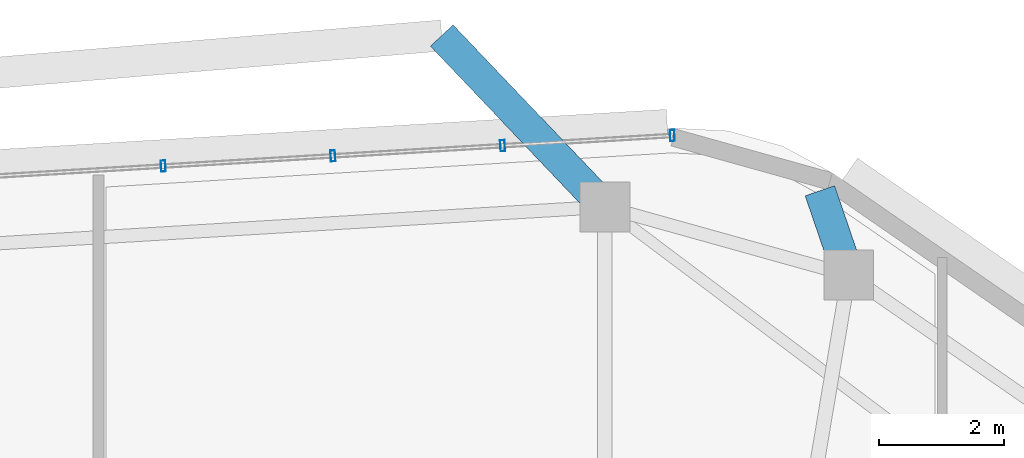
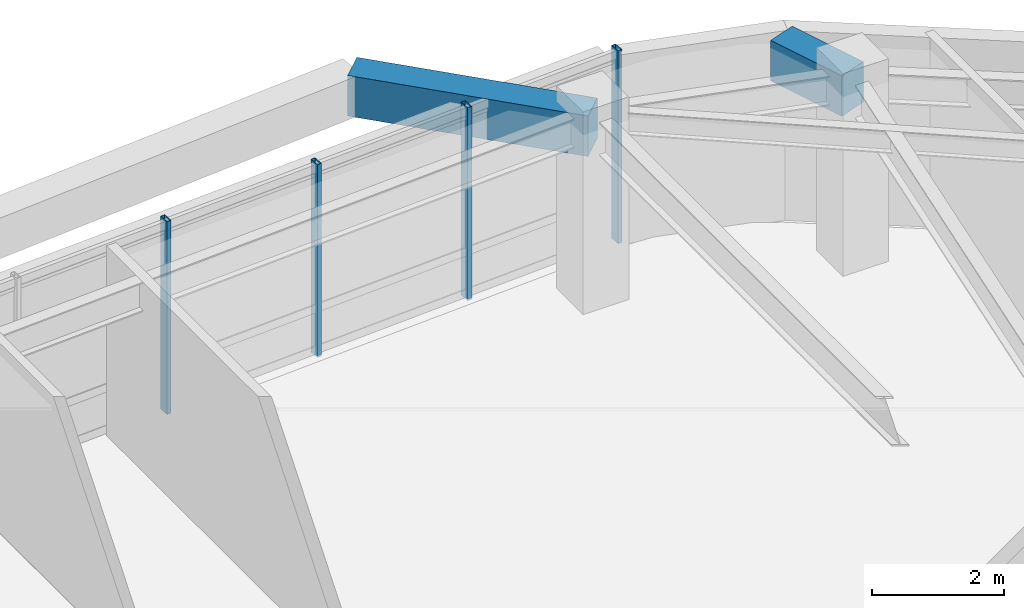
# One storey, part 4 of 12: 4 members, 2 beams, 1 element without a shape of its own.
"""IFC4 building model written with IfcOpenShell, lengths in metres."""

from ifc_helpers import new_model, si_unit, direction, frame, origin, origin_2d, place, context, subcontext, project, spatial, rectangle, hollow_rectangle, extrude, material, material_profile, profile_set, type_object, element, aggregate, save


model = new_model("IFC4")

# Units and contexts
model_context = context("Model", 3, precision=1e-05, world=origin(), true_north=direction((0.0, 1.0)))
body_context = subcontext(model_context, "Body", "Model", "MODEL_VIEW")
ifc_project = project(units=[si_unit("LENGTHUNIT", "METRE"), si_unit("AREAUNIT", "SQUARE_METRE"), si_unit("VOLUMEUNIT", "CUBIC_METRE"), si_unit("PLANEANGLEUNIT", "RADIAN"), si_unit("MASSUNIT", "GRAM", prefix="KILO")], contexts=[model_context])

# Site, building, storey
site_placement = place(None, origin())
site = spatial("IfcSite", under=ifc_project, at=site_placement, CompositionType="ELEMENT")
building_placement = place(site_placement, origin())
building = spatial("IfcBuilding", under=site, at=building_placement, Name="Zulverin Broadcast Headquarters", CompositionType="ELEMENT")
storey_placement = place(building_placement, frame((0.0, 0.0, 263.0)))
storey = spatial("IfcBuildingStorey", under=building, at=storey_placement, Name="L67", CompositionType="ELEMENT", Elevation=263.0)

# Beams
ifc_material_1 = material(Name="Concrete C40/50", Category="concrete")
ifc_material_profile_1 = material_profile(ifc_material_1, rectangle(XDim=0.5, YDim=0.75, at=origin_2d()), Name="Concrete C40/50", Category="concrete")
ifc_profile_set_1 = profile_set([ifc_material_profile_1], Name="Concrete C40/50")
beam_type = type_object("IfcBeamType", Name="BM-RC-500x750", PredefinedType="BEAM", material=ifc_profile_set_1)
beam_1_placement = place(storey_placement, frame((50.39794921875, 46.554443359375, 3.135009765625), z_axis=(-0.323542873341, 0.946213511376, 0.0), x_axis=(-0.946213511376, -0.323542873341, 0.0)))
element("IfcBeam", 1, at=beam_1_placement, inside=storey, type_object=beam_type, Name="L68 Plate Overhang Back-Spanned Beam OVR-08", PredefinedType="BEAM", context=body_context, shape_type="SweptSolid", body=[
    extrude(rectangle(XDim=0.5, YDim=0.75, at=origin_2d()), origin(), (0.0, 0.0, 1.0), 1.429931640625),
])
beam_2_placement = place(storey_placement, frame((46.4814453125, 47.6484375, 3.135009765625), z_axis=(-0.689382393643, 0.724397622397, 0.0), x_axis=(-0.724397622397, -0.689382393643, 0.0)))
element("IfcBeam", 2, at=beam_2_placement, inside=storey, type_object=beam_type, Name="L68 Balcony Column-Framed Cantilever BAL_N-1", PredefinedType="BEAM", context=body_context, shape_type="SweptSolid", body=[
    extrude(rectangle(XDim=0.5, YDim=0.75, at=origin_2d()), origin(), (0.0, 0.0, 1.0), 3.800048828125),
])

# Curtain wall, members
ifc_material_2 = material(Name="High-zone solar-control unitised curtain wall", Category="aluminium")
curtain_wall_type = type_object("IfcCurtainWallType", Name="CW-TWR-UPP", PredefinedType="USERDEFINED", material=ifc_material_2)
curtain_wall_placement = place(storey_placement, origin())
curtain_wall = element("IfcCurtainWall", 3, at=curtain_wall_placement, inside=storey, type_object=curtain_wall_type, Name="L67 Unitised Curtain Wall CW-L67-E5", ObjectType="UNITISED CURTAIN WALL", PredefinedType="USERDEFINED")
ifc_material_3 = material(Name="Anodized pale-metal aluminium alloy 6063-T6", Category="aluminium")
ifc_material_profile_2 = material_profile(ifc_material_3, hollow_rectangle(XDim=0.074951171875, YDim=0.179931640625, WallThickness=0.0048828125, at=origin_2d()), Name="Anodized pale-metal aluminium alloy 6063-T6", Category="aluminium")
ifc_profile_set_2 = profile_set([ifc_material_profile_2], Name="Anodized pale-metal aluminium alloy 6063-T6")
member_type = type_object("IfcMemberType", Name="CW-MUL-180", PredefinedType="MULLION", material=ifc_profile_set_2)
member_1_placement = place(storey_placement, frame((47.564697265625, 48.79541015625, -0.030029296875), z_axis=(0.0, 0.0, 1.0), x_axis=(-0.99820257679, -0.059930090026, 0.0)))
member_1 = element("IfcMember", 4, at=member_1_placement, type_object=member_type, Name="CW-L67-E5 Mullion 00", PredefinedType="MULLION", context=body_context, shape_type="SweptSolid", body=[
    extrude(hollow_rectangle(XDim=0.074951171875, YDim=0.179931640625, WallThickness=0.0048828125, at=origin_2d()), origin(), (0.0, 0.0, 1.0), 3.570068359375),
])
member_2_placement = place(storey_placement, frame((44.83935546875, 48.6318359375, -0.030029296875), z_axis=(0.0, 0.0, 1.0), x_axis=(-0.99820257679, -0.059930090026, 0.0)))
member_2 = element("IfcMember", 5, at=member_2_placement, type_object=member_type, Name="CW-L67-E5 Mullion 01", PredefinedType="MULLION", context=body_context, shape_type="SweptSolid", body=[
    extrude(hollow_rectangle(XDim=0.074951171875, YDim=0.179931640625, WallThickness=0.0048828125, at=origin_2d()), origin(), (0.0, 0.0, 1.0), 3.570068359375),
])
member_3_placement = place(storey_placement, frame((42.1142578125, 48.46826171875, -0.030029296875), z_axis=(0.0, 0.0, 1.0), x_axis=(-0.99820257679, -0.059930090026, 0.0)))
member_3 = element("IfcMember", 6, at=member_3_placement, type_object=member_type, Name="CW-L67-E5 Mullion 02", PredefinedType="MULLION", context=body_context, shape_type="SweptSolid", body=[
    extrude(hollow_rectangle(XDim=0.074951171875, YDim=0.179931640625, WallThickness=0.0048828125, at=origin_2d()), origin(), (0.0, 0.0, 1.0), 3.570068359375),
])
member_4_placement = place(storey_placement, frame((39.388916015625, 48.3046875, -0.030029296875), z_axis=(0.0, 0.0, 1.0), x_axis=(-0.99820257679, -0.059930090026, 0.0)))
member_4 = element("IfcMember", 7, at=member_4_placement, type_object=member_type, Name="CW-L67-E5 Mullion 03", PredefinedType="MULLION", context=body_context, shape_type="SweptSolid", body=[
    extrude(hollow_rectangle(XDim=0.074951171875, YDim=0.179931640625, WallThickness=0.0048828125, at=origin_2d()), origin(), (0.0, 0.0, 1.0), 3.570068359375),
])
aggregate(curtain_wall, [member_1, member_2, member_3, member_4])

save(model, "model.ifc")
